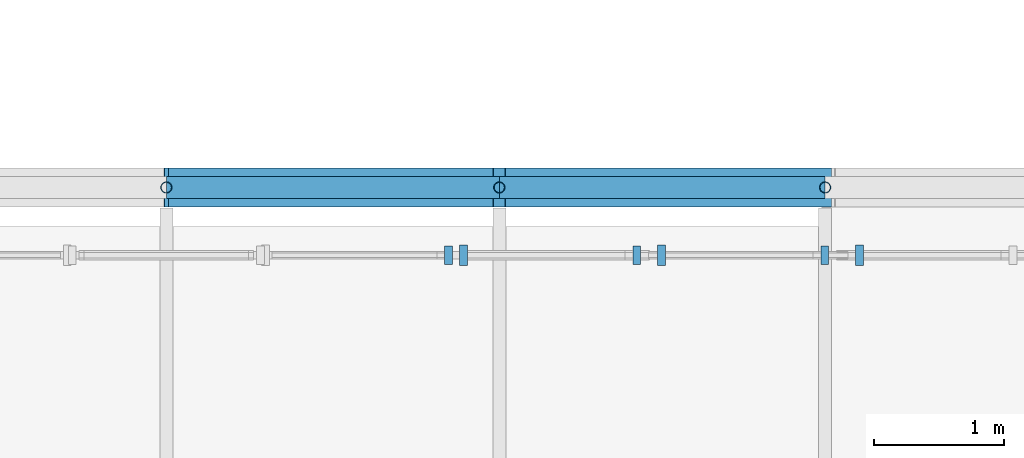
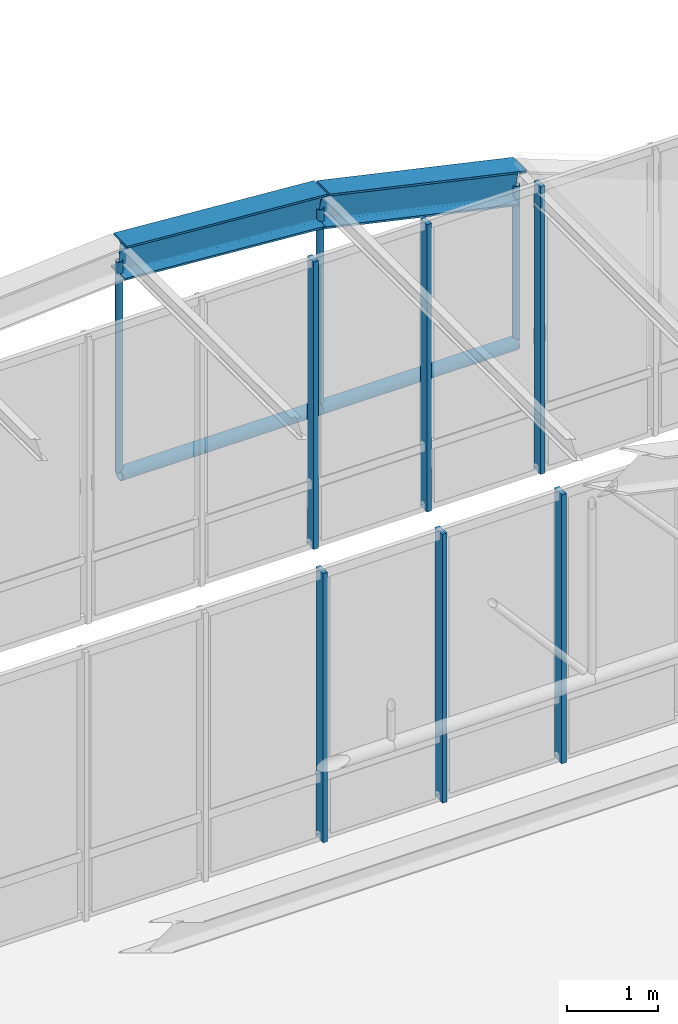
# One storey, part 81 of 148: 11 members, 2 beams, 2 elements without a shape of their own.
"""IFC4 building model written with IfcOpenShell, lengths in metres."""

from ifc_helpers import new_model, si_unit, direction, frame, origin, origin_2d, place, context, subcontext, project, spatial, rectangle, hollow_circle, i_section, extrude, material, layer, layer_set, material_profile, profile_set, type_object, element, aggregate, save


model = new_model("IFC4")

# Units and contexts
model_context = context("Model", 3, precision=1e-05, world=origin(), true_north=direction((0.0, 1.0)))
body_context = subcontext(model_context, "Body", "Model", "MODEL_VIEW")
ifc_project = project(units=[si_unit("LENGTHUNIT", "METRE"), si_unit("AREAUNIT", "SQUARE_METRE"), si_unit("VOLUMEUNIT", "CUBIC_METRE"), si_unit("PLANEANGLEUNIT", "RADIAN"), si_unit("MASSUNIT", "GRAM", prefix="KILO"), si_unit("THERMODYNAMICTEMPERATUREUNIT", "KELVIN"), si_unit("POWERUNIT", "WATT")], contexts=[model_context])

# Site, building, storey
site_placement = place(None, origin())
site = spatial("IfcSite", under=ifc_project, at=site_placement, CompositionType="ELEMENT")
building_placement = place(site_placement, origin())
building = spatial("IfcBuilding", under=site, at=building_placement, Name="Solvatero Civic Police Headquarters", CompositionType="ELEMENT")
storey_placement = place(building_placement, frame((0.0, 0.0, 5.10009765625)))
storey = spatial("IfcBuildingStorey", under=building, at=storey_placement, Name="L01", CompositionType="ELEMENT", Elevation=5.10009765625)

# Beams
ifc_material_1 = material(Name="Steel S355", Category="steel")
ifc_material_profile_1 = material_profile(ifc_material_1, i_section(OverallWidth=0.300048828125, OverallDepth=0.449951171875, WebThickness=0.013916015625, FlangeThickness=0.02587890625, FilletRadius=0.027099609375, at=origin_2d()), Name="HEB 450")
ifc_profile_set_1 = profile_set([ifc_material_profile_1], Name="Steel S355")
beam_type = type_object("IfcBeamType", Name="BM-ST-HEB450", PredefinedType="BEAM", material=ifc_profile_set_1)
beam_1_placement = place(storey_placement, frame((110.5, 46.800048828125, 8.31396484375), z_axis=(0.997304549883, 0.0, -0.073373256584), x_axis=(0.0, 1.0, 0.0)))
element("IfcBeam", 1, at=beam_1_placement, inside=storey, type_object=beam_type, Name="VLT1 Tied-Arch Vault Top Chord F8.6", PredefinedType="BEAM", context=body_context, shape_type="SweptSolid", body=[
    extrude(i_section(OverallWidth=0.300048828125, OverallDepth=0.449951171875, WebThickness=0.013916015625, FlangeThickness=0.02587890625, FilletRadius=0.027099609375, at=origin_2d()), origin(), (0.0, 0.0, 1.0), 2.56201171875),
])
beam_2_placement = place(storey_placement, frame((113.05517578125, 46.800048828125, 8.1171875), z_axis=(0.975854055758, 0.0, -0.218423583574), x_axis=(0.0, 1.0, 0.0)))
element("IfcBeam", 2, at=beam_2_placement, inside=storey, type_object=beam_type, Name="VLT1 Tied-Arch Vault Top Chord F8.7", PredefinedType="BEAM", context=body_context, shape_type="SweptSolid", body=[
    extrude(i_section(OverallWidth=0.300048828125, OverallDepth=0.449951171875, WebThickness=0.013916015625, FlangeThickness=0.02587890625, FilletRadius=0.027099609375, at=origin_2d()), origin(), (0.0, 0.0, 1.0), 2.561767578125),
])

# Curtain wall, members
ifc_material_2 = material(Name="Anodized Bronze Aluminium", Category="aluminium")
ifc_layer_1 = layer(ifc_material_2, 0.179931640625)
ifc_layer_set_1 = layer_set([ifc_layer_1], Name="Anodized Bronze Aluminium")
curtain_wall_type_1 = type_object("IfcCurtainWallType", Name="CW-VLT-TYMP", PredefinedType="USERDEFINED", material=ifc_layer_set_1)
curtain_wall_1_placement = place(storey_placement, origin())
curtain_wall_1 = element("IfcCurtainWall", 3, at=curtain_wall_1_placement, inside=storey, type_object=curtain_wall_type_1, Name="Curtain Wall CW-R2-L01-VLT1-N", ObjectType="UNITISED", PredefinedType="USERDEFINED")
ifc_material_profile_2 = material_profile(ifc_material_2, rectangle(XDim=0.06005859375, YDim=0.139892578125, at=origin_2d()), Name="ALU MULLION 60x140")
ifc_profile_set_2 = profile_set([ifc_material_profile_2], Name="Anodized Bronze Aluminium")
member_type_1 = type_object("IfcMemberType", Name="CWM-160x65", PredefinedType="MULLION", material=ifc_profile_set_2)
member_1_placement = place(storey_placement, frame((112.66552734375, 46.280029296875, 3.97998046875), z_axis=(0.0, 0.0, 1.0), x_axis=(1.0, 0.0, 0.0)))
member_1 = element("IfcMember", 4, at=member_1_placement, type_object=member_type_1, Name="CW-R2-L01-VLT1-N Mullion 8", PredefinedType="MULLION", context=body_context, shape_type="SweptSolid", body=[
    extrude(rectangle(XDim=0.06005859375, YDim=0.139892578125, at=origin_2d()), origin(), (0.0, 0.0, 1.0), 3.869873046875),
])
member_2_placement = place(storey_placement, frame((114.109130859375, 46.280029296875, 3.97998046875), z_axis=(0.0, 0.0, 1.0), x_axis=(1.0, 0.0, 0.0)))
member_2 = element("IfcMember", 5, at=member_2_placement, type_object=member_type_1, Name="CW-R2-L01-VLT1-N Mullion 9", PredefinedType="MULLION", context=body_context, shape_type="SweptSolid", body=[
    extrude(rectangle(XDim=0.06005859375, YDim=0.139892578125, at=origin_2d()), origin(), (0.0, 0.0, 1.0), 3.869873046875),
])
member_3_placement = place(storey_placement, frame((115.552734375, 46.280029296875, 3.97998046875), z_axis=(0.0, 0.0, 1.0), x_axis=(1.0, 0.0, 0.0)))
member_3 = element("IfcMember", 6, at=member_3_placement, type_object=member_type_1, Name="CW-R2-L01-VLT1-N Mullion 10", PredefinedType="MULLION", context=body_context, shape_type="SweptSolid", body=[
    extrude(rectangle(XDim=0.06005859375, YDim=0.139892578125, at=origin_2d()), origin(), (0.0, 0.0, 1.0), 3.869873046875),
])
aggregate(curtain_wall_1, [member_1, member_2, member_3])

ifc_layer_2 = layer(ifc_material_2, 0.179931640625)
ifc_layer_set_2 = layer_set([ifc_layer_2], Name="Anodized Bronze Aluminium")
curtain_wall_type_2 = type_object("IfcCurtainWallType", Name="CW-HAL-GLZ", PredefinedType="USERDEFINED", material=ifc_layer_set_2)
curtain_wall_2_placement = place(storey_placement, origin())
curtain_wall_2 = element("IfcCurtainWall", 7, at=curtain_wall_2_placement, inside=storey, type_object=curtain_wall_type_2, Name="Curtain Wall CW-R2-L01-V1-N", ObjectType="UNITISED", PredefinedType="USERDEFINED")
ifc_material_profile_3 = material_profile(ifc_material_2, rectangle(XDim=0.06005859375, YDim=0.159912109375, at=origin_2d()), Name="ALU MULLION 60x160")
ifc_profile_set_3 = profile_set([ifc_material_profile_3], Name="Anodized Bronze Aluminium")
member_type_2 = type_object("IfcMemberType", Name="CWM-180x70", PredefinedType="MULLION", material=ifc_profile_set_3)
member_4_placement = place(storey_placement, frame((112.779541015625, 46.280029296875, 0.0), z_axis=(0.0, 0.0, 1.0), x_axis=(1.0, 0.0, 0.0)))
member_4 = element("IfcMember", 8, at=member_4_placement, type_object=member_type_2, Name="CW-R2-L01-V1-N Mullion 10", PredefinedType="MULLION", context=body_context, shape_type="SweptSolid", body=[
    extrude(rectangle(XDim=0.06005859375, YDim=0.159912109375, at=origin_2d()), origin(), (0.0, 0.0, 1.0), 3.619873046875),
])
member_5_placement = place(storey_placement, frame((114.29931640625, 46.280029296875, 0.0), z_axis=(0.0, 0.0, 1.0), x_axis=(1.0, 0.0, 0.0)))
member_5 = element("IfcMember", 9, at=member_5_placement, type_object=member_type_2, Name="CW-R2-L01-V1-N Mullion 11", PredefinedType="MULLION", context=body_context, shape_type="SweptSolid", body=[
    extrude(rectangle(XDim=0.06005859375, YDim=0.159912109375, at=origin_2d()), origin(), (0.0, 0.0, 1.0), 3.619873046875),
])
member_6_placement = place(storey_placement, frame((115.819091796875, 46.280029296875, 0.0), z_axis=(0.0, 0.0, 1.0), x_axis=(1.0, 0.0, 0.0)))
member_6 = element("IfcMember", 10, at=member_6_placement, type_object=member_type_2, Name="CW-R2-L01-V1-N Mullion 12", PredefinedType="MULLION", context=body_context, shape_type="SweptSolid", body=[
    extrude(rectangle(XDim=0.06005859375, YDim=0.159912109375, at=origin_2d()), origin(), (0.0, 0.0, 1.0), 3.619873046875),
])
aggregate(curtain_wall_2, [member_4, member_5, member_6])

# Members
ifc_material_profile_4 = material_profile(ifc_material_1, hollow_circle(Radius=0.04443359375, WallThickness=0.00634765625, at=origin_2d()), Name="CHS 88.9x6.3")
ifc_profile_set_4 = profile_set([ifc_material_profile_4], Name="Steel S355")
member_type_3 = type_object("IfcMemberType", Name="MB-HNG-CHS89", PredefinedType="STRUT", material=ifc_profile_set_4)
member_7_placement = place(storey_placement, frame((110.5, 46.800048828125, 5.431640625), z_axis=(0.0, 0.0, 1.0), x_axis=(1.0, 0.0, 0.0)))
element("IfcMember", 11, at=member_7_placement, inside=storey, type_object=member_type_3, Name="VLT1 Vault Vertical Hanger F8.5", PredefinedType="STRUT", context=body_context, shape_type="SweptSolid", body=[
    extrude(hollow_circle(Radius=0.04443359375, WallThickness=0.00634765625, at=origin_2d()), origin(), (0.0, 0.0, 1.0), 2.837158203125),
])
member_8_placement = place(storey_placement, frame((113.05517578125, 46.800048828125, 5.431640625), z_axis=(0.0, 0.0, 1.0), x_axis=(1.0, 0.0, 0.0)))
element("IfcMember", 12, at=member_8_placement, inside=storey, type_object=member_type_3, Name="VLT1 Vault Vertical Hanger F8.6", PredefinedType="STRUT", context=body_context, shape_type="SweptSolid", body=[
    extrude(hollow_circle(Radius=0.04443359375, WallThickness=0.00634765625, at=origin_2d()), origin(), (0.0, 0.0, 1.0), 2.649169921875),
])
member_9_placement = place(storey_placement, frame((115.55517578125, 46.800048828125, 5.431640625), z_axis=(0.0, 0.0, 1.0), x_axis=(1.0, 0.0, 0.0)))
element("IfcMember", 13, at=member_9_placement, inside=storey, type_object=member_type_3, Name="VLT1 Vault Vertical Hanger F8.7", PredefinedType="STRUT", context=body_context, shape_type="SweptSolid", body=[
    extrude(hollow_circle(Radius=0.04443359375, WallThickness=0.00634765625, at=origin_2d()), origin(), (0.0, 0.0, 1.0), 2.08935546875),
])
ifc_material_profile_5 = material_profile(ifc_material_1, hollow_circle(Radius=0.084228515625, WallThickness=0.010009765625, at=origin_2d()), Name="CHS 168.3x10.0")
ifc_profile_set_5 = profile_set([ifc_material_profile_5], Name="Steel S355")
member_type_4 = type_object("IfcMemberType", Name="MB-TIE-CHS168", PredefinedType="CHORD", material=ifc_profile_set_5)
member_10_placement = place(storey_placement, frame((110.5, 46.800048828125, 5.3916015625), z_axis=(1.0, 0.0, 0.0), x_axis=(0.0, 1.0, 0.0)))
element("IfcMember", 14, at=member_10_placement, inside=storey, type_object=member_type_4, Name="VLT1 Vault Horizontal Tie Chord F8.5", PredefinedType="CHORD", context=body_context, shape_type="SweptSolid", body=[
    extrude(hollow_circle(Radius=0.084228515625, WallThickness=0.010009765625, at=origin_2d()), origin(), (0.0, 0.0, 1.0), 2.55517578125),
])
member_11_placement = place(storey_placement, frame((113.05517578125, 46.800048828125, 5.3916015625), z_axis=(1.0, 0.0, 0.0), x_axis=(0.0, 1.0, 0.0)))
element("IfcMember", 15, at=member_11_placement, inside=storey, type_object=member_type_4, Name="VLT1 Vault Horizontal Tie Chord F8.6", PredefinedType="CHORD", context=body_context, shape_type="SweptSolid", body=[
    extrude(hollow_circle(Radius=0.084228515625, WallThickness=0.010009765625, at=origin_2d()), origin(), (0.0, 0.0, 1.0), 2.5),
])

save(model, "model.ifc")
